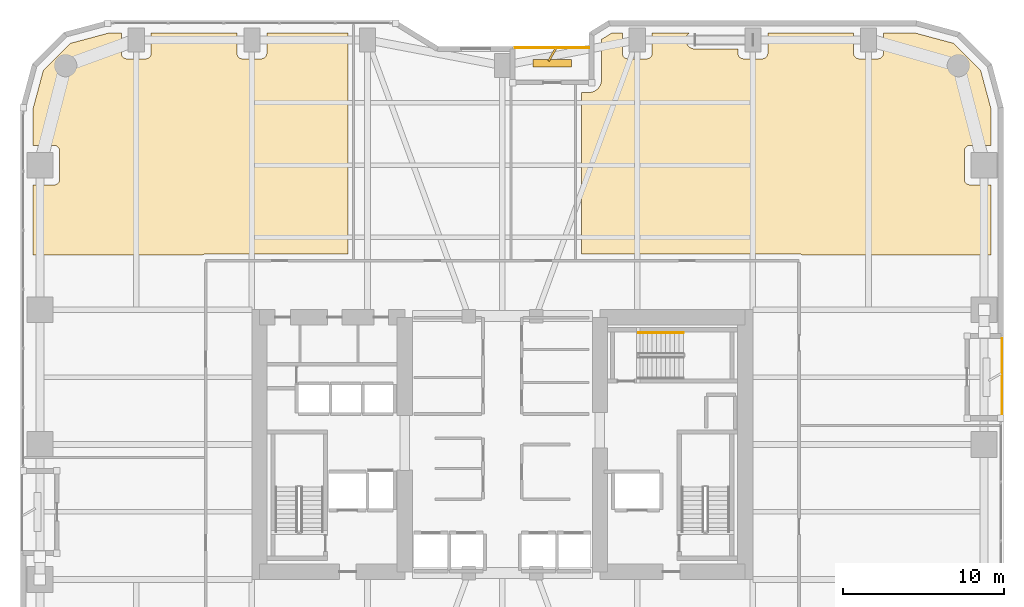
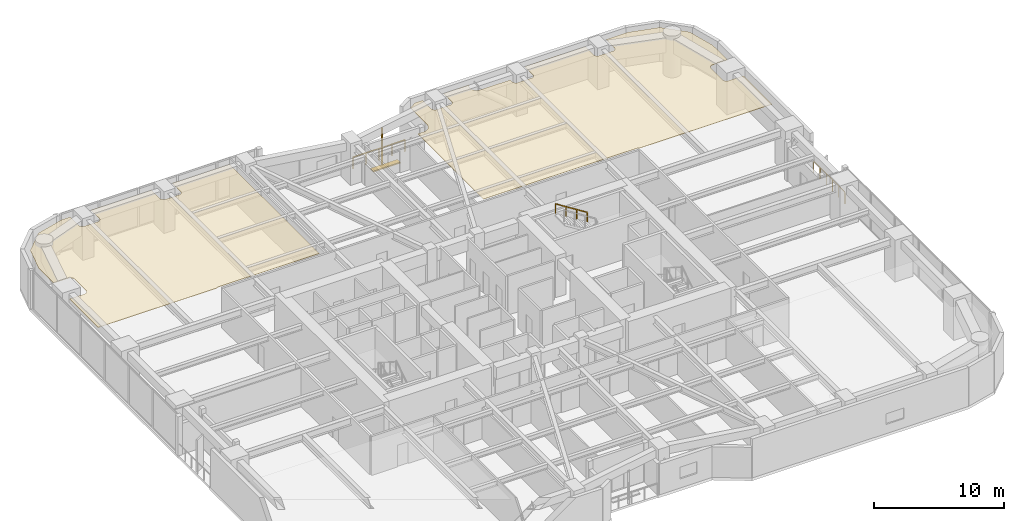
# One storey, part 28 of 28: 3 railings, 2 coverings, 2 shading devices.
"""IFC4 building model written with IfcOpenShell, lengths in metres."""

from ifc_helpers import new_model, si_unit, direction, frame, origin, origin_2d, place, context, subcontext, project, spatial, polyline, rectangle, outline, extrude, material, layer, layer_set, type_object, element, save


model = new_model("IFC4")

# Units and contexts
model_context = context("Model", 3, precision=1e-05, world=origin(), true_north=direction((0.0, 1.0)))
body_context = subcontext(model_context, "Body", "Model", "MODEL_VIEW")
ifc_project = project(units=[si_unit("LENGTHUNIT", "METRE"), si_unit("AREAUNIT", "SQUARE_METRE"), si_unit("VOLUMEUNIT", "CUBIC_METRE"), si_unit("PLANEANGLEUNIT", "RADIAN"), si_unit("MASSUNIT", "GRAM", prefix="KILO")], contexts=[model_context])

# Site, building, storey
site_placement = place(None, origin())
site = spatial("IfcSite", under=ifc_project, at=site_placement, CompositionType="ELEMENT")
building_placement = place(site_placement, origin())
building = spatial("IfcBuilding", under=site, at=building_placement, Name="Kiyonajd Concourse Tower", CompositionType="ELEMENT")
storey_placement = place(building_placement, frame((0.0, 0.0, 56.699951171875)))
storey = spatial("IfcBuildingStorey", under=building, at=storey_placement, Name="L15", CompositionType="ELEMENT", Elevation=56.699951171875)

# Coverings
ifc_material_1 = material(Name="Natural Oak Acoustic Timber Veneer", Category="wood")
ifc_layer = layer(ifc_material_1, 0.0400390625)
ifc_layer_set = layer_set([ifc_layer], Name="Natural Oak Acoustic Timber Veneer")
covering_type = type_object("IfcCoveringType", Name="CV-CLG-ACST", PredefinedType="CEILING", material=ifc_layer_set)
covering_1_placement = place(storey_placement, frame((0.0, 0.0, 3.4599609375)))
element("IfcCovering", 1, at=covering_1_placement, inside=storey, type_object=covering_type, Name="L15-48 Room Acoustic Ceiling", PredefinedType="CEILING", context=body_context, shape_type="SweptSolid", body=[
    extrude(outline(polyline([(21.097900390625, 60.986083984375), (23.5009765625, 61.6298828125), (24.27001953125, 61.6298828125), (24.27197265625, 60.3359375), (24.297119140625, 60.236083984375), (24.3291015625, 60.176025390625), (24.373046875, 60.123046875), (24.426025390625, 60.0791015625), (24.486083984375, 60.047119140625), (24.5859375, 60.02197265625), (25.81396484375, 60.02197265625), (25.9140625, 60.047119140625), (26.001953125, 60.09912109375), (26.051025390625, 60.14794921875), (26.089111328125, 60.205078125), (26.123046875, 60.302001953125), (26.1298828125, 60.3701171875), (26.1298828125, 61.6298828125), (31.469970703125, 61.6298828125), (31.471923828125, 60.3359375), (31.4970703125, 60.236083984375), (31.529052734375, 60.176025390625), (31.572998046875, 60.123046875), (31.6259765625, 60.0791015625), (31.68603515625, 60.047119140625), (31.785888671875, 60.02197265625), (32.97998046875, 60.02001953125), (33.048095703125, 60.027099609375), (33.114013671875, 60.047119140625), (33.201904296875, 60.09912109375), (33.2509765625, 60.14794921875), (33.2890625, 60.205078125), (33.322998046875, 60.302001953125), (33.330078125, 60.3701171875), (33.330078125, 61.6298828125), (38.389892578125, 61.6298828125), (38.389892578125, 47.8701171875), (29.52490234375, 47.8701171875), (29.39501953125, 47.85009765625), (29.33203125, 47.823974609375), (29.277099609375, 47.7900390625), (18.77001953125, 47.7900390625), (18.77001953125, 52.169921875), (20.080078125, 52.169921875), (20.14794921875, 52.177001953125), (20.2451171875, 52.2109375), (20.302001953125, 52.2490234375), (20.35107421875, 52.298095703125), (20.388916015625, 52.35498046875), (20.4150390625, 52.41796875), (20.429931640625, 52.52001953125), (20.429931640625, 54.280029296875), (20.4150390625, 54.382080078125), (20.388916015625, 54.445068359375), (20.35107421875, 54.501953125), (20.302001953125, 54.551025390625), (20.2451171875, 54.589111328125), (20.181884765625, 54.614990234375), (20.114013671875, 54.6279296875), (18.77001953125, 54.6298828125), (18.77001953125, 56.89892578125), (19.4140625, 59.302001953125), (21.097900390625, 60.986083984375)])), origin(), (0.0, 0.0, 1.0), 0.0400390625),
])
covering_2_placement = place(storey_placement, frame((0.0, 0.0, 3.4599609375)))
element("IfcCovering", 2, at=covering_2_placement, inside=storey, type_object=covering_type, Name="L15-51 Room Acoustic Ceiling", PredefinedType="CEILING", context=body_context, shape_type="SweptSolid", body=[
    extrude(outline(polyline([(53.532958984375, 57.94189453125), (53.639892578125, 57.968994140625), (53.72802734375, 58.00390625), (53.839111328125, 58.068115234375), (53.95703125, 58.16796875), (54.031982421875, 58.260986328125), (54.095947265625, 58.3720703125), (54.131103515625, 58.4599609375), (54.157958984375, 58.56689453125), (54.16796875, 58.658935546875), (54.169921875, 61.23095703125), (54.818115234375, 61.6298828125), (55.469970703125, 61.6298828125), (55.469970703125, 60.3701171875), (55.47705078125, 60.302001953125), (55.510986328125, 60.205078125), (55.549072265625, 60.14794921875), (55.597900390625, 60.09912109375), (55.68603515625, 60.047119140625), (55.751953125, 60.027099609375), (55.820068359375, 60.02001953125), (57.013916015625, 60.02197265625), (57.114013671875, 60.047119140625), (57.174072265625, 60.0791015625), (57.22705078125, 60.123046875), (57.27099609375, 60.176025390625), (57.302978515625, 60.236083984375), (57.327880859375, 60.3359375), (57.330078125, 61.6298828125), (59.6259765625, 61.6298828125), (59.5390625, 61.533935546875), (59.498046875, 61.469970703125), (59.467041015625, 61.40087890625), (59.43603515625, 61.27490234375), (59.429931640625, 61.199951171875), (59.43603515625, 61.125), (59.467041015625, 60.9990234375), (59.498046875, 60.929931640625), (59.5390625, 60.865966796875), (59.637939453125, 60.759033203125), (59.759033203125, 60.68408203125), (59.87109375, 60.64501953125), (59.97802734375, 60.631103515625), (62.669921875, 60.6298828125), (62.672119140625, 60.3359375), (62.68505859375, 60.26806640625), (62.7109375, 60.205078125), (62.77294921875, 60.123046875), (62.85498046875, 60.06103515625), (62.91796875, 60.034912109375), (63.02001953125, 60.02001953125), (64.214111328125, 60.02197265625), (64.31396484375, 60.047119140625), (64.3740234375, 60.0791015625), (64.427001953125, 60.123046875), (64.489013671875, 60.205078125), (64.514892578125, 60.26806640625), (64.528076171875, 60.3359375), (64.530029296875, 61.6298828125), (69.8701171875, 61.6298828125), (69.8701171875, 60.3701171875), (69.876953125, 60.302001953125), (69.89697265625, 60.236083984375), (69.928955078125, 60.176025390625), (69.998046875, 60.09912109375), (70.0859375, 60.047119140625), (70.18603515625, 60.02197265625), (71.4140625, 60.02197265625), (71.513916015625, 60.047119140625), (71.573974609375, 60.0791015625), (71.626953125, 60.123046875), (71.68896484375, 60.205078125), (71.715087890625, 60.26806640625), (71.72802734375, 60.3359375), (71.72998046875, 61.6298828125), (73.698974609375, 61.6298828125), (76.10205078125, 60.986083984375), (77.785888671875, 59.302001953125), (78.429931640625, 56.89892578125), (78.429931640625, 54.6298828125), (77.1201171875, 54.6298828125), (77.052001953125, 54.623046875), (76.986083984375, 54.60302734375), (76.926025390625, 54.571044921875), (76.84912109375, 54.501953125), (76.81103515625, 54.445068359375), (76.784912109375, 54.382080078125), (76.77001953125, 54.280029296875), (76.77001953125, 52.52001953125), (76.784912109375, 52.41796875), (76.81103515625, 52.35498046875), (76.84912109375, 52.298095703125), (76.89794921875, 52.2490234375), (76.955078125, 52.2109375), (77.01806640625, 52.18505859375), (77.0859375, 52.172119140625), (78.429931640625, 52.169921875), (78.429931640625, 47.7900390625), (66.722900390625, 47.7900390625), (66.66796875, 47.823974609375), (66.60498046875, 47.85009765625), (66.47509765625, 47.8701171875), (52.929931640625, 47.8701171875), (52.929931640625, 57.930908203125), (53.44189453125, 57.931884765625), (53.532958984375, 57.94189453125)])), origin(), (0.0, 0.0, 1.0), 0.0400390625),
])

# Railings
ifc_material_2 = material(Name="Thermally Broken Anodised Aluminium", Category="aluminium")
railing_type_1 = type_object("IfcRailingType", Name="RL-GRD-LOG", PredefinedType="GUARDRAIL", material=ifc_material_2)
railing_1_placement = place(storey_placement, frame((53.39990234375, 60.719970703125, 0.0)))
element("IfcRailing", 3, at=railing_1_placement, inside=storey, type_object=railing_type_1, Name="L15 Engawa Loggia Perimeter Guard LOG-N", PredefinedType="GUARDRAIL", context=body_context, shape_type="SweptSolid", body=[
    extrude(rectangle(XDim=0.048095703125, YDim=0.048095703125, at=origin_2d()), frame((0.0, 0.0, 1.076171875), z_axis=(-1.0, 0.0, 0.0), x_axis=(0.0, -1.0, 0.0)), (0.0, 0.0, 1.0), 4.599853515625),
    extrude(rectangle(XDim=0.0419921875, YDim=0.0419921875, at=origin_2d()), origin(), (0.0, 0.0, 1.0), 1.052001953125),
    extrude(rectangle(XDim=0.0419921875, YDim=0.0419921875, at=origin_2d()), frame((-1.14990234375, 0.0, 0.0)), (0.0, 0.0, 1.0), 1.052001953125),
    extrude(rectangle(XDim=0.0419921875, YDim=0.0419921875, at=origin_2d()), frame((-2.2998046875, 0.0, 0.0)), (0.0, 0.0, 1.0), 1.052001953125),
    extrude(rectangle(XDim=0.0419921875, YDim=0.0419921875, at=origin_2d()), frame((-3.449951171875, 0.0, 0.0)), (0.0, 0.0, 1.0), 1.052001953125),
    extrude(rectangle(XDim=0.0419921875, YDim=0.0419921875, at=origin_2d()), frame((-4.599853515625, 0.0, 0.0)), (0.0, 0.0, 1.0), 1.052001953125),
])
railing_2_placement = place(storey_placement, frame((79.1201171875, 37.800048828125, 0.0)))
element("IfcRailing", 4, at=railing_2_placement, inside=storey, type_object=railing_type_1, Name="L15 Engawa Loggia Perimeter Guard LOG-E", PredefinedType="GUARDRAIL", context=body_context, shape_type="SweptSolid", body=[
    extrude(rectangle(XDim=0.048095703125, YDim=0.048095703125, at=origin_2d()), frame((0.0, 0.0, 1.076171875), z_axis=(0.0, 1.0, 0.0), x_axis=(-1.0, 0.0, 0.0)), (0.0, 0.0, 1.0), 4.800048828125),
    extrude(rectangle(XDim=0.0419921875, YDim=0.0419921875, at=origin_2d()), origin(), (0.0, 0.0, 1.0), 1.052001953125),
    extrude(rectangle(XDim=0.0419921875, YDim=0.0419921875, at=origin_2d()), frame((0.0, 0.9599609375, 0.0)), (0.0, 0.0, 1.0), 1.052001953125),
    extrude(rectangle(XDim=0.0419921875, YDim=0.0419921875, at=origin_2d()), frame((0.0, 1.919921875, 0.0)), (0.0, 0.0, 1.0), 1.052001953125),
    extrude(rectangle(XDim=0.0419921875, YDim=0.0419921875, at=origin_2d()), frame((0.0, 2.880126953125, 0.0)), (0.0, 0.0, 1.0), 1.052001953125),
    extrude(rectangle(XDim=0.0419921875, YDim=0.0419921875, at=origin_2d()), frame((0.0, 3.840087890625, 0.0)), (0.0, 0.0, 1.0), 1.052001953125),
    extrude(rectangle(XDim=0.0419921875, YDim=0.0419921875, at=origin_2d()), frame((0.0, 4.800048828125, 0.0)), (0.0, 0.0, 1.0), 1.052001953125),
])
ifc_material_3 = material(Name="Brushed Stainless Steel Cab Assembly", Category="steel")
railing_type_2 = type_object("IfcRailingType", Name="RL-HND-900", PredefinedType="HANDRAIL", material=ifc_material_3)
railing_3_placement = place(storey_placement, frame((59.280029296875, 42.969970703125, 2.12744140625)))
element("IfcRailing", 5, at=railing_3_placement, inside=storey, type_object=railing_type_2, Name="L15 ST3 stair handrail 2", PredefinedType="HANDRAIL", context=body_context, shape_type="SweptSolid", body=[
    extrude(rectangle(XDim=0.048095703125, YDim=0.048095703125, at=origin_2d()), frame((0.0, 0.0, 0.8759765625), z_axis=(-0.844908973607, 0.0, 0.534910110503), x_axis=(0.0, -1.0, 0.0)), (0.0, 0.0, 1.0), 3.31396484375),
    extrude(rectangle(XDim=0.0419921875, YDim=0.0419921875, at=origin_2d()), origin(), (0.0, 0.0, 1.0), 0.851806640625),
    extrude(rectangle(XDim=0.0419921875, YDim=0.0419921875, at=origin_2d()), frame((-0.933349609375, 0.0, 0.5908203125)), (0.0, 0.0, 1.0), 0.851806640625),
    extrude(rectangle(XDim=0.0419921875, YDim=0.0419921875, at=origin_2d()), frame((-1.86669921875, 0.0, 1.181884765625)), (0.0, 0.0, 1.0), 0.851806640625),
    extrude(rectangle(XDim=0.0419921875, YDim=0.0419921875, at=origin_2d()), frame((-2.800048828125, 0.0, 1.772705078125)), (0.0, 0.0, 1.0), 0.851806640625),
])

# Shading devices
ifc_material_4 = material(Name="Precast concrete C50/60", Category="concrete")
shading_device_type_1 = type_object("IfcShadingDeviceType", Name="SH-FIN-900", PredefinedType="USERDEFINED", material=ifc_material_4)
shading_device_1_placement = place(storey_placement, frame((51.10009765625, 60.27001953125, 0.0), z_axis=(0.0, 0.0, 1.0), x_axis=(0.5, 0.866025403784, 0.0)))
element("IfcShadingDevice", 6, at=shading_device_1_placement, inside=storey, type_object=shading_device_type_1, Name="L15 Angled Koshi Solar Fin LOG-N", ObjectType="FIN", PredefinedType="USERDEFINED", context=body_context, shape_type="SweptSolid", body=[
    extrude(rectangle(XDim=0.89990234375, YDim=0.1201171875, at=origin_2d()), origin(), (0.0, 0.0, 1.0), 3.0),
])
shading_device_type_2 = type_object("IfcShadingDeviceType", Name="SH-LVR-600", PredefinedType="JALOUSIE", material=ifc_material_2)
shading_device_2_placement = place(storey_placement, frame((51.10009765625, 59.75, 0.0), z_axis=(0.0, 0.0, 1.0), x_axis=(1.0, 0.0, 0.0)))
element("IfcShadingDevice", 7, at=shading_device_2_placement, inside=storey, type_object=shading_device_type_2, Name="L15 Loggia Threshold Louver LOG-N", PredefinedType="JALOUSIE", context=body_context, shape_type="SweptSolid", body=[
    extrude(rectangle(XDim=2.39990234375, YDim=0.449951171875, at=origin_2d()), origin(), (0.0, 0.0, 1.0), 0.10009765625),
])

save(model, "model.ifc")
